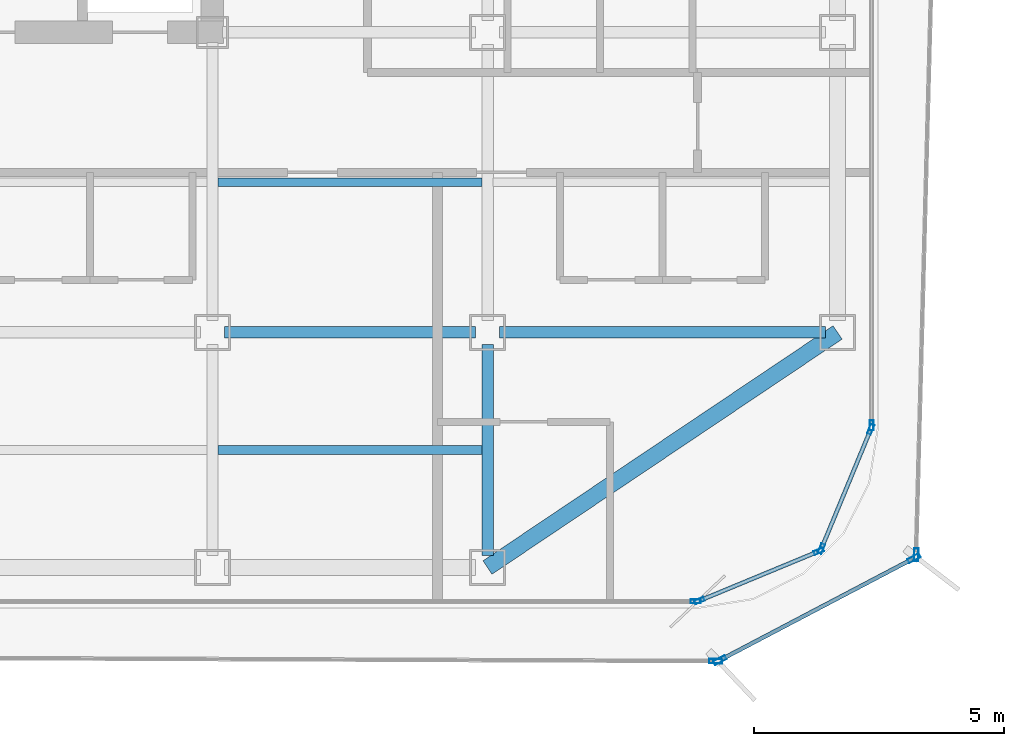
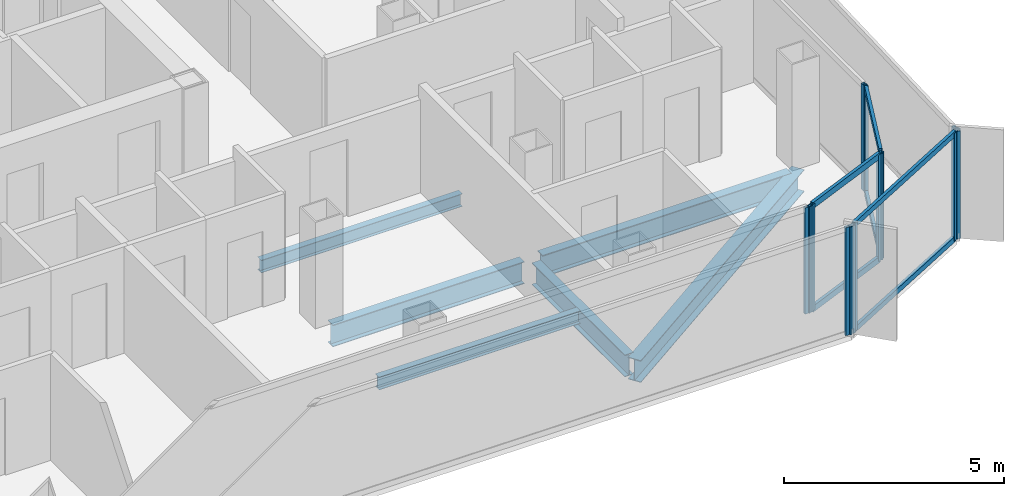
# One storey, part 4 of 16: 16 members, 6 beams, 7 elements without a shape of their own.
"""IFC4 building model written with IfcOpenShell, lengths in metres."""

from ifc_helpers import new_model, si_unit, direction, frame, origin, origin_2d, place, context, subcontext, project, spatial, hollow_rectangle, i_section, extrude, source, transform, mapped, material, layer, layer_set, material_profile, profile_set, type_object, element, aggregate, save


model = new_model("IFC4")

# Units and contexts
model_context = context("Model", 3, precision=1e-05, world=origin(), true_north=direction((0.0, 1.0)))
body_context = subcontext(model_context, "Body", "Model", "MODEL_VIEW")
ifc_project = project(units=[si_unit("LENGTHUNIT", "METRE"), si_unit("AREAUNIT", "SQUARE_METRE"), si_unit("VOLUMEUNIT", "CUBIC_METRE"), si_unit("PLANEANGLEUNIT", "RADIAN"), si_unit("MASSUNIT", "GRAM", prefix="KILO")], contexts=[model_context])

# Site, building, storey
site_placement = place(None, origin())
site = spatial("IfcSite", under=ifc_project, at=site_placement, CompositionType="ELEMENT")
building_placement = place(site_placement, origin())
building = spatial("IfcBuilding", under=site, at=building_placement, Name="Kolveth Station Tower", CompositionType="ELEMENT")
storey_placement = place(building_placement, frame((0.0, 0.0, 175.300048828125)))
storey = spatial("IfcBuildingStorey", under=building, at=storey_placement, Name="L49", CompositionType="ELEMENT", Elevation=175.300048828125)

# Beams
ifc_material_1 = material(Name="Steel S355", Category="steel")
ifc_material_profile_1 = material_profile(ifc_material_1, i_section(OverallWidth=0.323974609375, OverallDepth=0.611083984375, WebThickness=0.0126953125, FlangeThickness=0.01904296875, at=origin_2d()), Name="W610x155")
ifc_profile_set_1 = profile_set([ifc_material_profile_1], Name="Steel S355")
beam_type_1 = type_object("IfcBeamType", Name="Beam_SP2", PredefinedType="SPANDREL", material=ifc_profile_set_1)
shared_shape_1 = source(origin(), body_context, "Body", "SweptSolid", [
    extrude(i_section(OverallWidth=0.323974609375, OverallDepth=0.611083984375, WebThickness=0.0126953125, FlangeThickness=0.01904296875, at=origin_2d()), origin(), (0.0, 0.0, 1.0), 8.431396484375),
])
beam_1_placement = place(storey_placement, frame((34.0, 0.800048828125, -0.5556640625), z_axis=(0.830223811004, 0.557430196206, 0.0), x_axis=(-0.557430196206, 0.830223811004, 0.0)))
element("IfcBeam", 1, at=beam_1_placement, inside=storey, type_object=beam_type_1, Name="L49 Corner Edge Girder BM-L49-CNR-SE", PredefinedType="SPANDREL", context=body_context, shape_type="MappedRepresentation", body=[
    mapped(shared_shape_1, transform((0.0, 0.0, 0.0), x_axis=(1.0, 0.0, 0.0), y_axis=(0.0, 1.0, 0.0), z_axis=(0.0, 0.0, 1.0), scale=1.0)),
])
ifc_material_profile_2 = material_profile(ifc_material_1, i_section(OverallWidth=0.22900390625, OverallDepth=0.612060546875, WebThickness=0.011962890625, FlangeThickness=0.01953125, at=origin_2d()), Name="W610x125")
ifc_profile_set_2 = profile_set([ifc_material_profile_2], Name="Steel S355")
beam_type_2 = type_object("IfcBeamType", Name="Beam_B5", PredefinedType="BEAM", material=ifc_profile_set_2)
shared_shape_2 = source(origin(), body_context, "Body", "SweptSolid", [
    extrude(i_section(OverallWidth=0.22900390625, OverallDepth=0.612060546875, WebThickness=0.011962890625, FlangeThickness=0.01953125, at=origin_2d()), origin(), (0.0, 0.0, 1.0), 6.52001953125),
])
beam_2_placement = place(storey_placement, frame((34.239990234375, 5.5, -0.55615234375), z_axis=(1.0, 0.0, 0.0), x_axis=(0.0, 1.0, 0.0)))
element("IfcBeam", 2, at=beam_2_placement, inside=storey, type_object=beam_type_2, Name="L49 Primary Girder BM-L49-GY55-6", PredefinedType="BEAM", context=body_context, shape_type="MappedRepresentation", body=[
    mapped(shared_shape_2, transform((0.0, 0.0, 0.0), x_axis=(1.0, 0.0, 0.0), y_axis=(0.0, 1.0, 0.0), z_axis=(0.0, 0.0, 1.0), scale=1.0)),
])
shared_shape_3 = source(origin(), body_context, "Body", "SweptSolid", [
    extrude(i_section(OverallWidth=0.22900390625, OverallDepth=0.612060546875, WebThickness=0.011962890625, FlangeThickness=0.01953125, at=origin_2d()), origin(), (0.0, 0.0, 1.0), 5.02001953125),
])
beam_3_placement = place(storey_placement, frame((28.739990234375, 5.5, -0.55615234375), z_axis=(1.0, 0.0, 0.0), x_axis=(0.0, 1.0, 0.0)))
element("IfcBeam", 3, at=beam_3_placement, inside=storey, type_object=beam_type_2, Name="L49 Primary Girder BM-L49-GY55-5", PredefinedType="BEAM", context=body_context, shape_type="MappedRepresentation", body=[
    mapped(shared_shape_3, transform((0.0, 0.0, 0.0), x_axis=(1.0, 0.0, 0.0), y_axis=(0.0, 1.0, 0.0), z_axis=(0.0, 0.0, 1.0), scale=1.0)),
])
shared_shape_4 = source(origin(), body_context, "Body", "SweptSolid", [
    extrude(i_section(OverallWidth=0.22900390625, OverallDepth=0.612060546875, WebThickness=0.011962890625, FlangeThickness=0.01953125, at=origin_2d()), origin(), (0.0, 0.0, 1.0), 4.219970703125),
])
beam_4_placement = place(storey_placement, frame((34.0, 1.0400390625, -0.55615234375), z_axis=(0.0, 1.0, 0.0), x_axis=(-1.0, 0.0, 0.0)))
element("IfcBeam", 4, at=beam_4_placement, inside=storey, type_object=beam_type_2, Name="L49 Primary Girder BM-L49-GX340-1", PredefinedType="BEAM", context=body_context, shape_type="MappedRepresentation", body=[
    mapped(shared_shape_4, transform((0.0, 0.0, 0.0), x_axis=(1.0, 0.0, 0.0), y_axis=(0.0, 1.0, 0.0), z_axis=(0.0, 0.0, 1.0), scale=1.0)),
])
ifc_material_profile_3 = material_profile(ifc_material_1, i_section(OverallWidth=0.1708984375, OverallDepth=0.35205078125, WebThickness=0.0068359375, FlangeThickness=0.009765625, at=origin_2d()), Name="W360x44")
ifc_profile_set_3 = profile_set([ifc_material_profile_3], Name="Steel S355")
beam_type_3 = type_object("IfcBeamType", Name="Beam_J2", PredefinedType="JOIST", material=ifc_profile_set_3)
shared_shape_5 = source(origin(), body_context, "Body", "SweptSolid", [
    extrude(i_section(OverallWidth=0.1708984375, OverallDepth=0.35205078125, WebThickness=0.0068359375, FlangeThickness=0.009765625, at=origin_2d()), origin(), (0.0, 0.0, 1.0), 5.27490234375),
])
for number, where, z_axis, x_axis, name in (
    (5, (28.612548828125, 3.14990234375, -0.426025390625), (1.0, 0.0, 0.0), (0.0, 1.0, 0.0), "L49 Secondary Joist JST-L49-5-1"),
    (6, (28.612548828125, 8.5, -0.426025390625), (1.0, 0.0, 0.0), (0.0, 1.0, 0.0), "L49 Secondary Joist JST-L49-5-2"),
):
    element("IfcBeam", number, at=place(storey_placement, frame(where, z_axis=z_axis, x_axis=x_axis)), inside=storey, type_object=beam_type_3, Name=name, PredefinedType="JOIST", context=body_context, shape_type="MappedRepresentation", body=[
        mapped(shared_shape_5, transform((0.0, 0.0, 0.0), x_axis=(1.0, 0.0, 0.0), y_axis=(0.0, 1.0, 0.0), z_axis=(0.0, 0.0, 1.0), scale=1.0)),
    ])

# Curtain wall, members
ifc_material_2 = material(Name="Aluminium 6063-T6 and low-E dark glass", Category="aluminium")
ifc_layer_1 = layer(ifc_material_2, 0.18994140625)
ifc_layer_set_1 = layer_set([ifc_layer_1], Name="Aluminium 6063-T6 and low-E dark glass")
curtain_wall_type_1 = type_object("IfcCurtainWallType", Name="CurtainWall_CW-Z2", PredefinedType="NOTDEFINED", material=ifc_layer_set_1)
curtain_wall_1_placement = place(storey_placement, origin())
curtain_wall_1 = element("IfcCurtainWall", 7, at=curtain_wall_1_placement, inside=storey, type_object=curtain_wall_type_1, Name="L49 Inner Thermal Curtain Wall 1", PredefinedType="NOTDEFINED")
ifc_material_3 = material(Name="Black anodized aluminium 6063-T6", Category="aluminium")
ifc_material_profile_4 = material_profile(ifc_material_3, hollow_rectangle(XDim=0.080078125, YDim=0.199951171875, WallThickness=0.0048828125, at=origin_2d()), Name="ALU-80x200x5")
ifc_profile_set_4 = profile_set([ifc_material_profile_4], Name="Black anodized aluminium 6063-T6")
member_type_1 = type_object("IfcMemberType", Name="Mullion_ML2", PredefinedType="MULLION", material=ifc_profile_set_4)
shared_shape_6 = source(origin(), body_context, "Body", "SweptSolid", [
    extrude(hollow_rectangle(XDim=0.080078125, YDim=0.199951171875, WallThickness=0.0048828125, at=origin_2d()), origin(), (0.0, 0.0, 1.0), 2.949951171875),
])
member_1_placement = place(storey_placement, frame((38.237060546875, 0.13525390625, 0.0), z_axis=(0.0, 0.0, 1.0), x_axis=(-0.382697753087, 0.923873600544, 0.0)))
member_1 = element("IfcMember", 8, at=member_1_placement, type_object=member_type_1, Name="CW-Z2 mullion 1", PredefinedType="MULLION", context=body_context, shape_type="MappedRepresentation", body=[
    mapped(shared_shape_6, transform((0.0, 0.0, 0.0), x_axis=(1.0, 0.0, 0.0), y_axis=(0.0, 1.0, 0.0), z_axis=(0.0, 0.0, 1.0), scale=1.0)),
])
member_2_placement = place(storey_placement, frame((40.623779296875, 1.1240234375, 0.0), z_axis=(0.0, 0.0, 1.0), x_axis=(-0.382697753087, 0.923873600544, 0.0)))
member_2 = element("IfcMember", 9, at=member_2_placement, type_object=member_type_1, Name="CW-Z2 mullion 2", PredefinedType="MULLION", context=body_context, shape_type="MappedRepresentation", body=[
    mapped(shared_shape_6, transform((0.0, 0.0, 0.0), x_axis=(1.0, 0.0, 0.0), y_axis=(0.0, 1.0, 0.0), z_axis=(0.0, 0.0, 1.0), scale=1.0)),
])

curtain_wall_2_placement = place(storey_placement, origin())
curtain_wall_2 = element("IfcCurtainWall", 10, at=curtain_wall_2_placement, inside=storey, type_object=curtain_wall_type_1, Name="L49 Inner Thermal Curtain Wall 2", PredefinedType="NOTDEFINED")
member_3_placement = place(storey_placement, frame((40.676025390625, 1.17626953125, 0.0), z_axis=(0.0, 0.0, 1.0), x_axis=(-0.923873600544, 0.382697753087, 0.0)))
member_3 = element("IfcMember", 11, at=member_3_placement, type_object=member_type_1, Name="CW-Z2 mullion 1", PredefinedType="MULLION", context=body_context, shape_type="MappedRepresentation", body=[
    mapped(shared_shape_6, transform((0.0, 0.0, 0.0), x_axis=(1.0, 0.0, 0.0), y_axis=(0.0, 1.0, 0.0), z_axis=(0.0, 0.0, 1.0), scale=1.0)),
])
member_4_placement = place(storey_placement, frame((41.664794921875, 3.56298828125, 0.0), z_axis=(0.0, 0.0, 1.0), x_axis=(-0.923873600544, 0.382697753087, 0.0)))
member_4 = element("IfcMember", 12, at=member_4_placement, type_object=member_type_1, Name="CW-Z2 mullion 2", PredefinedType="MULLION", context=body_context, shape_type="MappedRepresentation", body=[
    mapped(shared_shape_6, transform((0.0, 0.0, 0.0), x_axis=(1.0, 0.0, 0.0), y_axis=(0.0, 1.0, 0.0), z_axis=(0.0, 0.0, 1.0), scale=1.0)),
])

# Curtain wall, member
curtain_wall_3_placement = place(storey_placement, origin())
curtain_wall_3 = element("IfcCurtainWall", 13, at=curtain_wall_3_placement, inside=storey, type_object=curtain_wall_type_1, Name="L49 Inner Thermal Curtain Wall 3", PredefinedType="NOTDEFINED")
member_5_placement = place(storey_placement, frame((41.679931640625, 3.639892578125, 0.0), z_axis=(0.0, 0.0, 1.0), x_axis=(-1.0, 0.0, 0.0)))
member_5 = element("IfcMember", 14, at=member_5_placement, type_object=member_type_1, Name="CW-Z2 mullion 1", PredefinedType="MULLION", context=body_context, shape_type="MappedRepresentation", body=[
    mapped(shared_shape_6, transform((0.0, 0.0, 0.0), x_axis=(1.0, 0.0, 0.0), y_axis=(0.0, 1.0, 0.0), z_axis=(0.0, 0.0, 1.0), scale=1.0)),
])
aggregate(curtain_wall_3, [member_5])

curtain_wall_4_placement = place(storey_placement, origin())
curtain_wall_4 = element("IfcCurtainWall", 15, at=curtain_wall_4_placement, inside=storey, type_object=curtain_wall_type_1, Name="L49 Inner Thermal Curtain Wall 12", PredefinedType="NOTDEFINED")
member_6_placement = place(storey_placement, frame((38.159912109375, 0.1201171875, 0.0), z_axis=(0.0, 0.0, 1.0), x_axis=(0.0, 1.0, 0.0)))
member_6 = element("IfcMember", 16, at=member_6_placement, type_object=member_type_1, Name="CW-Z2 mullion 2", PredefinedType="MULLION", context=body_context, shape_type="MappedRepresentation", body=[
    mapped(shared_shape_6, transform((0.0, 0.0, 0.0), x_axis=(1.0, 0.0, 0.0), y_axis=(0.0, 1.0, 0.0), z_axis=(0.0, 0.0, 1.0), scale=1.0)),
])
aggregate(curtain_wall_4, [member_6])

# Curtain wall, members
ifc_material_4 = material(Name="Black anodized aluminium 6063-T6 and dark solar glass", Category="aluminium")
ifc_layer_2 = layer(ifc_material_4, 0.159912109375)
ifc_layer_set_2 = layer_set([ifc_layer_2], Name="Black anodized aluminium 6063-T6 and dark solar glass")
curtain_wall_type_2 = type_object("IfcCurtainWallType", Name="OUTER SKIN CW-OS", PredefinedType="NOTDEFINED", material=ifc_layer_set_2)
curtain_wall_5_placement = place(storey_placement, origin())
curtain_wall_5 = element("IfcCurtainWall", 17, at=curtain_wall_5_placement, inside=storey, type_object=curtain_wall_type_2, Name="L49 Outer Ventilated Skin Curtain Wall 1", PredefinedType="NOTDEFINED")
ifc_material_profile_5 = material_profile(ifc_material_3, hollow_rectangle(XDim=0.090087890625, YDim=0.260009765625, WallThickness=0.0048828125, at=origin_2d()), Name="ALU-90x260x5")
ifc_profile_set_5 = profile_set([ifc_material_profile_5], Name="Black anodized aluminium 6063-T6")
member_type_2 = type_object("IfcMemberType", Name="FIN MULLION ML-OS", PredefinedType="MULLION", material=ifc_profile_set_5)
shared_shape_7 = source(origin(), body_context, "Body", "SweptSolid", [
    extrude(hollow_rectangle(XDim=0.090087890625, YDim=0.260009765625, WallThickness=0.0048828125, at=origin_2d()), origin(), (0.0, 0.0, 1.0), 2.989990234375),
])
member_7_placement = place(storey_placement, frame((38.6474609375, -1.053955078125, 0.0), z_axis=(0.0, 0.0, 1.0), x_axis=(-0.465148987494, 0.885232409841, 0.0)))
member_7 = element("IfcMember", 18, at=member_7_placement, type_object=member_type_2, Name="CW-OS mullion 1", PredefinedType="MULLION", context=body_context, shape_type="MappedRepresentation", body=[
    mapped(shared_shape_7, transform((0.0, 0.0, 0.0), x_axis=(1.0, 0.0, 0.0), y_axis=(0.0, 1.0, 0.0), z_axis=(0.0, 0.0, 1.0), scale=1.0)),
])
member_8_placement = place(storey_placement, frame((42.531982421875, 0.987060546875, 0.0), z_axis=(0.0, 0.0, 1.0), x_axis=(-0.465148987494, 0.885232409841, 0.0)))
member_8 = element("IfcMember", 19, at=member_8_placement, type_object=member_type_2, Name="CW-OS mullion 2", PredefinedType="MULLION", context=body_context, shape_type="MappedRepresentation", body=[
    mapped(shared_shape_7, transform((0.0, 0.0, 0.0), x_axis=(1.0, 0.0, 0.0), y_axis=(0.0, 1.0, 0.0), z_axis=(0.0, 0.0, 1.0), scale=1.0)),
])

# Curtain wall, member
curtain_wall_6_placement = place(storey_placement, origin())
curtain_wall_6 = element("IfcCurtainWall", 20, at=curtain_wall_6_placement, inside=storey, type_object=curtain_wall_type_2, Name="L49 Outer Ventilated Skin Curtain Wall 2", PredefinedType="NOTDEFINED")
member_9_placement = place(storey_placement, frame((42.572998046875, 1.052978515625, 0.0), z_axis=(0.0, 0.0, 1.0), x_axis=(-0.999645684005, 0.026617784478, 0.0)))
member_9 = element("IfcMember", 21, at=member_9_placement, type_object=member_type_2, Name="CW-OS mullion 1", PredefinedType="MULLION", context=body_context, shape_type="MappedRepresentation", body=[
    mapped(shared_shape_7, transform((0.0, 0.0, 0.0), x_axis=(1.0, 0.0, 0.0), y_axis=(0.0, 1.0, 0.0), z_axis=(0.0, 0.0, 1.0), scale=1.0)),
])
aggregate(curtain_wall_6, [member_9])

curtain_wall_7_placement = place(storey_placement, origin())
curtain_wall_7 = element("IfcCurtainWall", 22, at=curtain_wall_7_placement, inside=storey, type_object=curtain_wall_type_2, Name="L49 Outer Ventilated Skin Curtain Wall 8", PredefinedType="NOTDEFINED")
member_10_placement = place(storey_placement, frame((38.562744140625, -1.07470703125, 0.0), z_axis=(0.0, 0.0, 1.0), x_axis=(0.003986890357, 0.999992052321, 0.0)))
member_10 = element("IfcMember", 23, at=member_10_placement, type_object=member_type_2, Name="CW-OS mullion 2", PredefinedType="MULLION", context=body_context, shape_type="MappedRepresentation", body=[
    mapped(shared_shape_7, transform((0.0, 0.0, 0.0), x_axis=(1.0, 0.0, 0.0), y_axis=(0.0, 1.0, 0.0), z_axis=(0.0, 0.0, 1.0), scale=1.0)),
])
aggregate(curtain_wall_7, [member_10])

# Member
ifc_material_profile_6 = material_profile(ifc_material_3, hollow_rectangle(XDim=0.080078125, YDim=0.169921875, WallThickness=0.0048828125, at=origin_2d()), Name="ALU-80x170x5")
ifc_profile_set_6 = profile_set([ifc_material_profile_6], Name="Black anodized aluminium 6063-T6")
member_type_3 = type_object("IfcMemberType", Name="Transom_TR2", PredefinedType="USERDEFINED", material=ifc_profile_set_6)
shared_shape_8 = source(origin(), body_context, "Body", "SweptSolid", [
    extrude(hollow_rectangle(XDim=0.080078125, YDim=0.169921875, WallThickness=0.0048828125, at=origin_2d()), origin(), (0.0, 0.0, 1.0), 2.50341796875),
])
member_11_placement = place(storey_placement, frame((38.27392578125, 0.150634765625, 0.0400390625), z_axis=(0.923874190494, 0.382696328882, 0.0), x_axis=(-0.382696328882, 0.923874190494, 0.0)))
member_11 = element("IfcMember", 24, at=member_11_placement, type_object=member_type_3, Name="CW-Z2 transom 1.1", ObjectType="TRANSOM", PredefinedType="USERDEFINED", context=body_context, shape_type="MappedRepresentation", body=[
    mapped(shared_shape_8, transform((0.0, 0.0, 0.0), x_axis=(1.0, 0.0, 0.0), y_axis=(0.0, 1.0, 0.0), z_axis=(0.0, 0.0, 1.0), scale=1.0)),
])

member_12_placement = place(storey_placement, frame((38.27392578125, 0.150634765625, 2.909912109375), z_axis=(0.923874190494, 0.382696328882, 0.0), x_axis=(-0.382696328882, 0.923874190494, 0.0)))
member_12 = element("IfcMember", 25, at=member_12_placement, type_object=member_type_3, Name="CW-Z2 transom 1.2", ObjectType="TRANSOM", PredefinedType="USERDEFINED", context=body_context, shape_type="MappedRepresentation", body=[
    mapped(shared_shape_8, transform((0.0, 0.0, 0.0), x_axis=(1.0, 0.0, 0.0), y_axis=(0.0, 1.0, 0.0), z_axis=(0.0, 0.0, 1.0), scale=1.0)),
])

aggregate(curtain_wall_1, [member_1, member_2, member_11, member_12])

member_13_placement = place(storey_placement, frame((40.69140625, 1.213134765625, 0.0400390625), z_axis=(0.382661849723, 0.923888472039, 0.0), x_axis=(-0.923888472039, 0.382661849723, 0.0)))
member_13 = element("IfcMember", 26, at=member_13_placement, type_object=member_type_3, Name="CW-Z2 transom 1.1", ObjectType="TRANSOM", PredefinedType="USERDEFINED", context=body_context, shape_type="MappedRepresentation", body=[
    mapped(shared_shape_8, transform((0.0, 0.0, 0.0), x_axis=(1.0, 0.0, 0.0), y_axis=(0.0, 1.0, 0.0), z_axis=(0.0, 0.0, 1.0), scale=1.0)),
])

member_14_placement = place(storey_placement, frame((40.69140625, 1.213134765625, 2.909912109375), z_axis=(0.382661849723, 0.923888472039, 0.0), x_axis=(-0.923888472039, 0.382661849723, 0.0)))
member_14 = element("IfcMember", 27, at=member_14_placement, type_object=member_type_3, Name="CW-Z2 transom 1.2", ObjectType="TRANSOM", PredefinedType="USERDEFINED", context=body_context, shape_type="MappedRepresentation", body=[
    mapped(shared_shape_8, transform((0.0, 0.0, 0.0), x_axis=(1.0, 0.0, 0.0), y_axis=(0.0, 1.0, 0.0), z_axis=(0.0, 0.0, 1.0), scale=1.0)),
])

aggregate(curtain_wall_2, [member_3, member_4, member_13, member_14])

ifc_material_profile_7 = material_profile(ifc_material_3, hollow_rectangle(XDim=0.080078125, YDim=0.14990234375, WallThickness=0.0048828125, at=origin_2d()), Name="ALU-80x150x5")
ifc_profile_set_7 = profile_set([ifc_material_profile_7], Name="Black anodized aluminium 6063-T6")
member_type_4 = type_object("IfcMemberType", Name="Transom_TR-OS", PredefinedType="USERDEFINED", material=ifc_profile_set_7)
shared_shape_9 = source(origin(), body_context, "Body", "SweptSolid", [
    extrude(hollow_rectangle(XDim=0.080078125, YDim=0.14990234375, WallThickness=0.0048828125, at=origin_2d()), origin(), (0.0, 0.0, 1.0), 4.2978515625),
])
member_15_placement = place(storey_placement, frame((38.687255859375, -1.032958984375, 0.0400390625), z_axis=(0.885248232582, 0.465118873741, 0.0), x_axis=(-0.465118873741, 0.885248232582, 0.0)))
member_15 = element("IfcMember", 28, at=member_15_placement, type_object=member_type_4, Name="CW-OS transom 1.1", ObjectType="TRANSOM", PredefinedType="USERDEFINED", context=body_context, shape_type="MappedRepresentation", body=[
    mapped(shared_shape_9, transform((0.0, 0.0, 0.0), x_axis=(1.0, 0.0, 0.0), y_axis=(0.0, 1.0, 0.0), z_axis=(0.0, 0.0, 1.0), scale=1.0)),
])

member_16_placement = place(storey_placement, frame((38.687255859375, -1.032958984375, 2.949951171875), z_axis=(0.885248232582, 0.465118873741, 0.0), x_axis=(-0.465118873741, 0.885248232582, 0.0)))
member_16 = element("IfcMember", 29, at=member_16_placement, type_object=member_type_4, Name="CW-OS transom 1.2", ObjectType="TRANSOM", PredefinedType="USERDEFINED", context=body_context, shape_type="MappedRepresentation", body=[
    mapped(shared_shape_9, transform((0.0, 0.0, 0.0), x_axis=(1.0, 0.0, 0.0), y_axis=(0.0, 1.0, 0.0), z_axis=(0.0, 0.0, 1.0), scale=1.0)),
])

aggregate(curtain_wall_5, [member_7, member_8, member_15, member_16])

save(model, "model.ifc")
